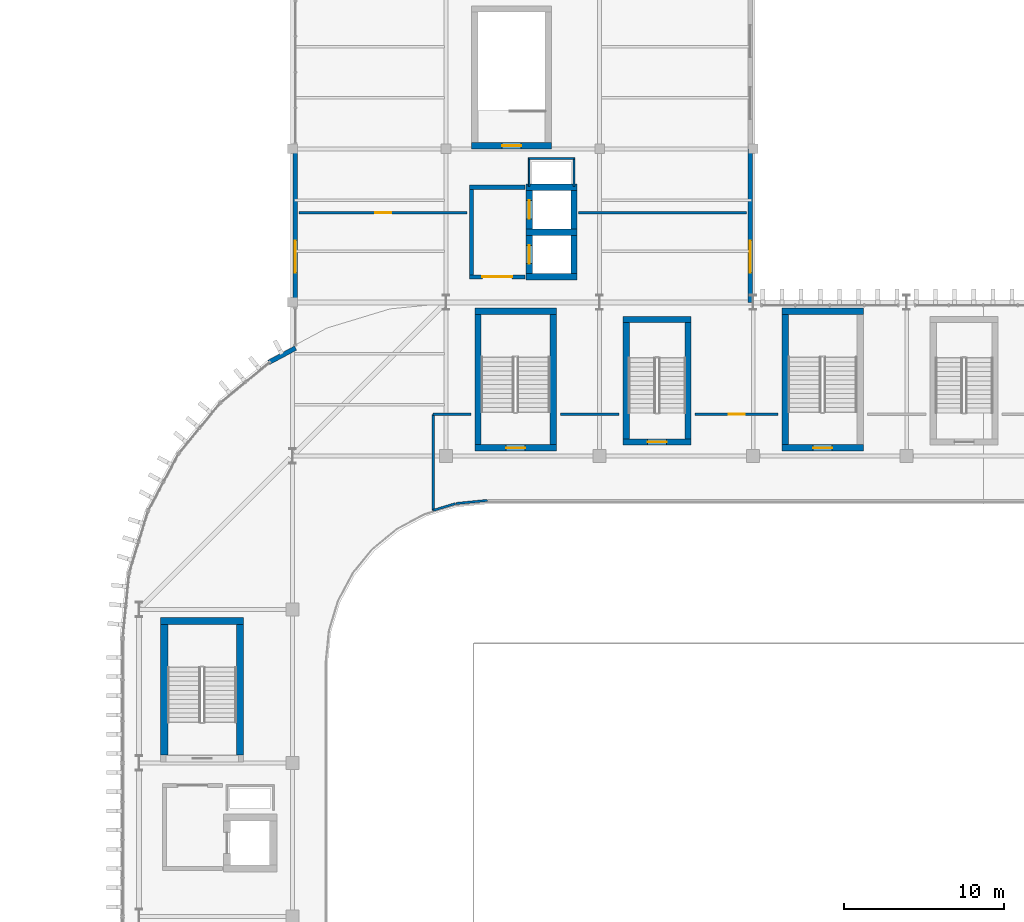
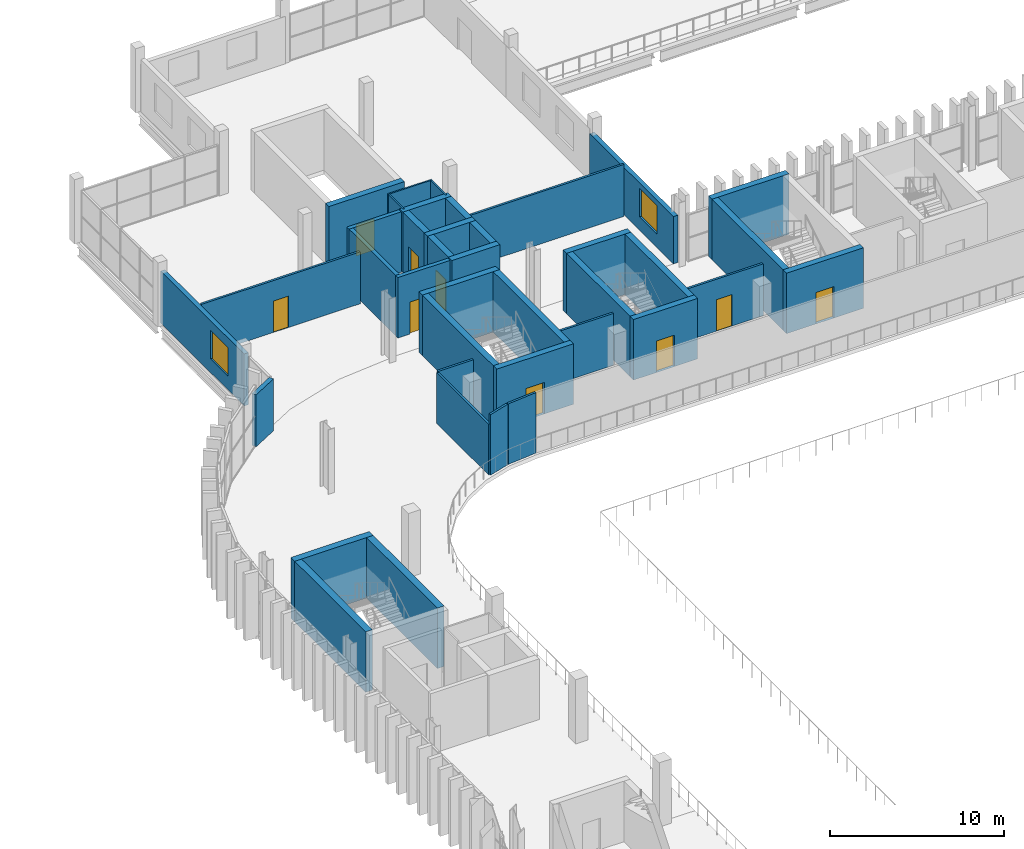
# One storey, part 48 of 75: 39 walls, 9 doors, 2 windows, 11 openings.
"""IFC4 building model written with IfcOpenShell, lengths in metres."""

from ifc_helpers import new_model, si_unit, direction, frame, frame_2d, origin, place, context, subcontext, project, spatial, rectangle, extrude, material, layer, layer_set, type_object, element, fill, save


model = new_model("IFC4")

# Units and contexts
model_context = context("Model", 3, precision=1e-05, world=origin(), true_north=direction((0.0, 1.0)))
body_context = subcontext(model_context, "Body", "Model", "MODEL_VIEW")
ifc_project = project(units=[si_unit("LENGTHUNIT", "METRE"), si_unit("AREAUNIT", "SQUARE_METRE"), si_unit("VOLUMEUNIT", "CUBIC_METRE"), si_unit("PLANEANGLEUNIT", "RADIAN"), si_unit("MASSUNIT", "GRAM", prefix="KILO")], contexts=[model_context])

# Site, building, storey
site_placement = place(None, origin())
site = spatial("IfcSite", under=ifc_project, at=site_placement, CompositionType="ELEMENT")
building_placement = place(site_placement, origin())
building = spatial("IfcBuilding", under=site, at=building_placement, Name="Caelomonte Colonnade Arena", CompositionType="ELEMENT")
storey_placement = place(building_placement, frame((0.0, 0.0, 14.10009765625)))
storey = spatial("IfcBuildingStorey", under=building, at=storey_placement, Name="L03", CompositionType="ELEMENT", Elevation=14.10009765625)

# Wall, opening, window
ifc_material_1 = material(Name="Precast concrete C40/50", Category="concrete")
ifc_layer_1 = layer(ifc_material_1, 0.2900390625)
ifc_layer_set_1 = layer_set([ifc_layer_1], Name="Precast concrete C40/50")
wall_type_1 = type_object("IfcWallType", Name="ENV-WL-EXT29", PredefinedType="SOLIDWALL", material=ifc_layer_set_1)
wall_1_placement = place(storey_placement, frame((95.820068359375, 115.199951171875, 0.0), z_axis=(0.0, 0.0, 1.0), x_axis=(0.0, 1.0, 0.0)))
wall_1 = element("IfcWall", 1, at=wall_1_placement, inside=storey, type_object=wall_type_1, Name="L03 exterior wall EW-L03-0295", PredefinedType="SOLIDWALL", context=body_context, shape_type="SweptSolid", body=[
    extrude(rectangle(XDim=9.60009765625, YDim=0.2900390625, at=frame_2d((4.800048828125, 0.0))), origin(), (0.0, 0.0, 1.0), 3.312744140625),
])
opening_1_placement = place(wall_1_placement, frame((3.86669921875, 0.0, 0.949951171875), z_axis=(0.0, 0.0, 1.0), x_axis=(-1.0, 0.0, 0.0)))
opening_1 = element("IfcOpeningElement", 2, at=opening_1_placement, cuts=wall_1, Name="Opening WN-06", PredefinedType="OPENING", context=body_context, shape_type="SweptSolid", body=[
    extrude(rectangle(XDim=2.0, YDim=2.0, at=frame_2d((1.0, 1.0))), frame((0.0, 0.155029296875, 0.0), z_axis=(0.0, -1.0, 0.0), x_axis=(1.0, 0.0, 0.0)), (0.0, 0.0, 1.0), 0.31005859375),
])
ifc_material_2 = material(Name="Solar-control bronze low-E double glazing", Category="glass")
window_type = type_object("IfcWindowType", Name="ENV-WN-V4C", PartitioningType="DOUBLE_PANEL_VERTICAL", PredefinedType="WINDOW", material=ifc_material_2)
window_1_placement = place(opening_1_placement, origin())
window_1 = element("IfcWindow", 3, at=window_1_placement, inside=storey, type_object=window_type, Name="L03 facade window 236", OverallHeight=2.0, OverallWidth=2.0, PartitioningType="SINGLE_PANEL", PredefinedType="WINDOW", context=body_context, shape_type="SweptSolid", body=[
    extrude(rectangle(XDim=2.0, YDim=2.0, at=frame_2d((1.0, 1.0))), frame((0.0, 0.030029296875, 0.0), z_axis=(0.0, -1.0, 0.0), x_axis=(1.0, 0.0, 0.0)), (0.0, 0.0, 1.0), 0.06005859375),
])
fill(opening_1, window_1)

wall_2_placement = place(storey_placement, frame((67.3798828125, 124.800048828125, 0.0), z_axis=(0.0, 0.0, 1.0), x_axis=(0.0, -1.0, 0.0)))
wall_2 = element("IfcWall", 4, at=wall_2_placement, inside=storey, type_object=wall_type_1, Name="L03 exterior wall EW-L03-0300", PredefinedType="SOLIDWALL", context=body_context, shape_type="SweptSolid", body=[
    extrude(rectangle(XDim=9.60009765625, YDim=0.2900390625, at=frame_2d((4.800048828125, 0.0))), origin(), (0.0, 0.0, 1.0), 3.637939453125),
])
opening_2_placement = place(wall_2_placement, frame((7.7333984375, 0.0, 0.949951171875), z_axis=(0.0, 0.0, 1.0), x_axis=(-1.0, 0.0, 0.0)))
opening_2 = element("IfcOpeningElement", 5, at=opening_2_placement, cuts=wall_2, Name="Opening WN-06", PredefinedType="OPENING", context=body_context, shape_type="SweptSolid", body=[
    extrude(rectangle(XDim=2.0, YDim=2.0, at=frame_2d((1.0, 1.0))), frame((0.0, 0.155029296875, 0.0), z_axis=(0.0, -1.0, 0.0), x_axis=(1.0, 0.0, 0.0)), (0.0, 0.0, 1.0), 0.31005859375),
])
window_2_placement = place(opening_2_placement, origin())
window_2 = element("IfcWindow", 6, at=window_2_placement, inside=storey, type_object=window_type, Name="L03 facade window 243", OverallHeight=2.0, OverallWidth=2.0, PartitioningType="SINGLE_PANEL", PredefinedType="WINDOW", context=body_context, shape_type="SweptSolid", body=[
    extrude(rectangle(XDim=2.0, YDim=2.0, at=frame_2d((1.0, 1.0))), frame((0.0, 0.030029296875, 0.0), z_axis=(0.0, -1.0, 0.0), x_axis=(1.0, 0.0, 0.0)), (0.0, 0.0, 1.0), 0.06005859375),
])
fill(opening_2, window_2)

# Wall
wall_3_placement = place(storey_placement, frame((67.390625, 112.343017578125, 0.0), z_axis=(0.0, 0.0, 1.0), x_axis=(-0.881883861215, -0.47146670649, 0.0)))
element("IfcWall", 7, at=wall_3_placement, inside=storey, type_object=wall_type_1, Name="L03 exterior wall EW-L03-0301", PredefinedType="SOLIDWALL", context=body_context, shape_type="SweptSolid", body=[
    extrude(rectangle(XDim=1.903564453125, YDim=0.2900390625, at=frame_2d((0.95166015625, 0.0))), origin(), (0.0, 0.0, 1.0), 3.637939453125),
])

# Wall, opening, door
ifc_material_3 = material(Name="Concrete C40/50", Category="concrete")
ifc_layer_2 = layer(ifc_material_3, 0.260009765625)
ifc_layer_set_2 = layer_set([ifc_layer_2], Name="Concrete C40/50")
wall_type_2 = type_object("IfcWallType", Name="INT-WL-FW26", PredefinedType="SOLIDWALL", material=ifc_layer_set_2)
wall_4_placement = place(storey_placement, frame((78.27001953125, 116.800048828125, 0.0), z_axis=(0.0, 0.0, 1.0), x_axis=(1.0, 0.0, 0.0)))
wall_4 = element("IfcWall", 8, at=wall_4_placement, inside=storey, type_object=wall_type_2, Name="FW-C7-LB L03 south enclosure wall", PredefinedType="SOLIDWALL", context=body_context, shape_type="SweptSolid", body=[
    extrude(rectangle(XDim=3.4599609375, YDim=0.260009765625, at=frame_2d((1.72998046875, 0.0))), origin(), (0.0, 0.0, 1.0), 4.239990234375),
])
opening_3_placement = place(wall_4_placement, frame((2.655029296875, 0.0, 0.0), z_axis=(0.0, 0.0, 1.0), x_axis=(-1.0, 0.0, 0.0)))
opening_3 = element("IfcOpeningElement", 9, at=opening_3_placement, cuts=wall_4, Name="Opening FD-2", PredefinedType="OPENING", context=body_context, shape_type="SweptSolid", body=[
    extrude(rectangle(XDim=1.85009765625, YDim=2.25, at=frame_2d((0.925048828125, 1.125))), frame((0.0, 0.139892578125, 0.0), z_axis=(0.0, -1.0, 0.0), x_axis=(1.0, 0.0, 0.0)), (0.0, 0.0, 1.0), 0.280029296875),
])
ifc_material_4 = material(Name="Fire-rated double steel door", Category="steel")
door_type_1 = type_object("IfcDoorType", Name="INT-DR-FD90B", OperationType="DOUBLE_DOOR_SINGLE_SWING", PredefinedType="DOOR", material=ifc_material_4)
door_1_placement = place(opening_3_placement, origin())
door_1 = element("IfcDoor", 10, at=door_1_placement, inside=storey, type_object=door_type_1, Name="Core C7 L03 lobby fire door", OperationType="DOUBLE_DOOR_SINGLE_SWING", OverallHeight=2.25, OverallWidth=1.85009765625, PredefinedType="DOOR", context=body_context, shape_type="SweptSolid", body=[
    extrude(rectangle(XDim=1.85009765625, YDim=2.25, at=frame_2d((0.925048828125, 1.125))), frame((0.0, 0.02490234375, 0.0), z_axis=(0.0, -1.0, 0.0), x_axis=(1.0, 0.0, 0.0)), (0.0, 0.0, 1.0), 0.050048828125),
])
fill(opening_3, door_1)

# Walls
wall_5_placement = place(storey_placement, frame((81.72998046875, 122.39990234375, 0.0), z_axis=(0.0, 0.0, 1.0), x_axis=(-1.0, 0.0, 0.0)))
element("IfcWall", 11, at=wall_5_placement, inside=storey, type_object=wall_type_2, Name="FW-C7-LB L03 north enclosure wall", PredefinedType="SOLIDWALL", context=body_context, shape_type="SweptSolid", body=[
    extrude(rectangle(XDim=3.4599609375, YDim=0.260009765625, at=frame_2d((1.72998046875, 0.0))), origin(), (0.0, 0.0, 1.0), 4.239990234375),
])
wall_6_placement = place(storey_placement, frame((78.39990234375, 122.27001953125, 0.0), z_axis=(0.0, 0.0, 1.0), x_axis=(0.0, -1.0, 0.0)))
element("IfcWall", 12, at=wall_6_placement, inside=storey, type_object=wall_type_2, Name="FW-C7-LB L03 west enclosure wall", PredefinedType="SOLIDWALL", context=body_context, shape_type="SweptSolid", body=[
    extrude(rectangle(XDim=5.340087890625, YDim=0.260009765625, at=frame_2d((2.669921875, 0.0))), origin(), (0.0, 0.0, 1.0), 4.239990234375),
])
ifc_material_5 = material(Name="Service shaft lining partition")
ifc_layer_3 = layer(ifc_material_5, 0.10009765625)
ifc_layer_set_3 = layer_set([ifc_layer_3], Name="Service shaft lining partition")
wall_type_3 = type_object("IfcWallType", Name="INT-WL-PT10", PredefinedType="PARTITIONING", material=ifc_layer_set_3)
wall_7_placement = place(storey_placement, frame((84.85009765625, 124.199951171875, 0.0), z_axis=(0.0, 0.0, 1.0), x_axis=(-1.0, 0.0, 0.0)))
element("IfcWall", 13, at=wall_7_placement, inside=storey, type_object=wall_type_3, Name="FW-C7-RS L03 north enclosure wall", PredefinedType="PARTITIONING", context=body_context, shape_type="SweptSolid", body=[
    extrude(rectangle(XDim=2.900146484375, YDim=0.10009765625, at=frame_2d((1.4501953125, 0.0))), origin(), (0.0, 0.0, 1.0), 4.239990234375),
])
for number, where, z_axis, x_axis, name in (
    (14, (82.0, 124.14990234375, 0.0), (0.0, 0.0, 1.0), (0.0, -1.0, 0.0), "FW-C7-RS L03 west enclosure wall"),
    (15, (84.800048828125, 122.449951171875, 0.0), (0.0, 0.0, 1.0), (0.0, 1.0, 0.0), "FW-C7-RS L03 east enclosure wall"),
):
    element("IfcWall", number, at=place(storey_placement, frame(where, z_axis=z_axis, x_axis=x_axis)), inside=storey, type_object=wall_type_3, Name=name, PredefinedType="PARTITIONING", context=body_context, shape_type="SweptSolid", body=[
        extrude(rectangle(XDim=1.699951171875, YDim=0.10009765625, at=frame_2d((0.85009765625, 0.0))), origin(), (0.0, 0.0, 1.0), 4.239990234375),
    ])
ifc_material_6 = material(Name="Suite demising stud partition")
ifc_layer_4 = layer(ifc_material_6, 0.139892578125)
ifc_layer_set_4 = layer_set([ifc_layer_4], Name="Suite demising stud partition")
wall_type_4 = type_object("IfcWallType", Name="INT-WL-PT14", PredefinedType="PARTITIONING", material=ifc_layer_set_4)
wall_8_placement = place(storey_placement, frame((77.38525390625, 102.618408203125, 0.0), z_axis=(0.0, 0.0, 1.0), x_axis=(-0.956921766266, -0.290345885534, 0.0)))
element("IfcWall", 16, at=wall_8_placement, inside=storey, type_object=wall_type_4, Name="L03 Hospitality Suite North Ring partition 214", PredefinedType="PARTITIONING", context=body_context, shape_type="SweptSolid", body=[
    extrude(rectangle(XDim=1.441162109375, YDim=0.139892578125, at=frame_2d((0.720703125, 0.0))), origin(), (0.0, 0.0, 1.0), 4.239990234375),
])
wall_9_placement = place(storey_placement, frame((76.0, 102.199951171875, 0.0), z_axis=(0.0, 0.0, 1.0), x_axis=(0.0, 1.0, 0.0)))
element("IfcWall", 17, at=wall_9_placement, inside=storey, type_object=wall_type_4, Name="L03 Hospitality Suite North Ring partition 215", PredefinedType="PARTITIONING", context=body_context, shape_type="SweptSolid", body=[
    extrude(rectangle(XDim=6.0, YDim=0.139892578125, at=frame_2d((3.0, 0.0))), origin(), (0.0, 0.0, 1.0), 3.556396484375),
])
wall_10_placement = place(storey_placement, frame((76.0, 108.199951171875, 0.0), z_axis=(0.0, 0.0, 1.0), x_axis=(1.0, 0.0, 0.0)))
element("IfcWall", 18, at=wall_10_placement, inside=storey, type_object=wall_type_4, Name="L03 Hospitality Suite North Ring partition 216", PredefinedType="PARTITIONING", context=body_context, shape_type="SweptSolid", body=[
    extrude(rectangle(XDim=2.35009765625, YDim=0.139892578125, at=frame_2d((1.175048828125, 0.0))), origin(), (0.0, 0.0, 1.0), 3.637939453125),
])
wall_11_placement = place(storey_placement, frame((83.949951171875, 108.199951171875, 0.0), z_axis=(0.0, 0.0, 1.0), x_axis=(1.0, 0.0, 0.0)))
element("IfcWall", 19, at=wall_11_placement, inside=storey, type_object=wall_type_4, Name="L03 Hospitality Suite North Ring partition 217", PredefinedType="PARTITIONING", context=body_context, shape_type="SweptSolid", body=[
    extrude(rectangle(XDim=3.670166015625, YDim=0.139892578125, at=frame_2d((1.8349609375, 0.0))), origin(), (0.0, 0.0, 1.0), 3.637939453125),
])

# Wall, opening, door
wall_12_placement = place(storey_placement, frame((92.3798828125, 108.199951171875, 0.0), z_axis=(0.0, 0.0, 1.0), x_axis=(1.0, 0.0, 0.0)))
wall_12 = element("IfcWall", 20, at=wall_12_placement, inside=storey, type_object=wall_type_4, Name="L03 Hospitality Suite North Ring partition 218", PredefinedType="PARTITIONING", context=body_context, shape_type="SweptSolid", body=[
    extrude(rectangle(XDim=5.170166015625, YDim=0.139892578125, at=frame_2d((2.5849609375, 0.0))), origin(), (0.0, 0.0, 1.0), 3.637939453125),
])
opening_4_placement = place(wall_12_placement, frame((2.0849609375, 0.0, 0.0), z_axis=(0.0, 0.0, 1.0), x_axis=(1.0, 0.0, 0.0)))
opening_4 = element("IfcOpeningElement", 21, at=opening_4_placement, cuts=wall_12, Name="Opening D-L03-060", PredefinedType="OPENING", context=body_context, shape_type="SweptSolid", body=[
    extrude(rectangle(XDim=1.0, YDim=2.199951171875, at=frame_2d((0.5, 1.10009765625))), frame((0.0, 0.079833984375, 0.0), z_axis=(0.0, -1.0, 0.0), x_axis=(1.0, 0.0, 0.0)), (0.0, 0.0, 1.0), 0.159912109375),
])
ifc_material_7 = material(Name="Hardwood veneer acoustic suite door", Category="wood")
door_type_2 = type_object("IfcDoorType", Name="INT-DR-SU1", OperationType="NOTDEFINED", PredefinedType="DOOR", material=ifc_material_7)
door_2_placement = place(opening_4_placement, origin())
door_2 = element("IfcDoor", 22, at=door_2_placement, inside=storey, type_object=door_type_2, Name="L03 Hospitality Suite North Ring door D-L03-060", OperationType="SINGLE_SWING_LEFT", OverallHeight=2.199951171875, OverallWidth=1.0, PredefinedType="DOOR", context=body_context, shape_type="SweptSolid", body=[
    extrude(rectangle(XDim=1.0, YDim=2.199951171875, at=frame_2d((0.5, 1.10009765625))), frame((0.0, 0.02490234375, 0.0), z_axis=(0.0, -1.0, 0.0), x_axis=(1.0, 0.0, 0.0)), (0.0, 0.0, 1.0), 0.050048828125),
])
fill(opening_4, door_2)

# Walls
wall_13_placement = place(storey_placement, frame((79.37841796875, 102.81884765625, 0.0), z_axis=(0.0, 0.0, 1.0), x_axis=(-0.995185270943, -0.098011614095, 0.0)))
element("IfcWall", 23, at=wall_13_placement, inside=storey, type_object=wall_type_4, Name="L03 Hospitality Suite North Ring partition 228", PredefinedType="PARTITIONING", context=body_context, shape_type="SweptSolid", body=[
    extrude(rectangle(XDim=1.96044921875, YDim=0.139892578125, at=frame_2d((0.980224609375, 0.0))), origin(), (0.0, 0.0, 1.0), 4.239990234375),
])
wall_14_placement = place(storey_placement, frame((95.60009765625, 120.800048828125, 0.0), z_axis=(0.0, 0.0, 1.0), x_axis=(-1.0, 0.0, 0.0)))
element("IfcWall", 24, at=wall_14_placement, inside=storey, type_object=wall_type_4, Name="L03 Presidential Party Suite partition 229", PredefinedType="PARTITIONING", context=body_context, shape_type="SweptSolid", body=[
    extrude(rectangle(XDim=10.52001953125, YDim=0.139892578125, at=frame_2d((5.260009765625, 0.0))), origin(), (0.0, 0.0, 1.0), 3.637939453125),
])

# Wall, opening, door
wall_15_placement = place(storey_placement, frame((78.1201171875, 120.800048828125, 0.0), z_axis=(0.0, 0.0, 1.0), x_axis=(-1.0, 0.0, 0.0)))
wall_15 = element("IfcWall", 25, at=wall_15_placement, inside=storey, type_object=wall_type_4, Name="L03 Presidential Party Suite partition 230", PredefinedType="PARTITIONING", context=body_context, shape_type="SweptSolid", body=[
    extrude(rectangle(XDim=10.52001953125, YDim=0.139892578125, at=frame_2d((5.260009765625, 0.0))), origin(), (0.0, 0.0, 1.0), 3.637939453125),
])
opening_5_placement = place(wall_15_placement, frame((4.760009765625, 0.0, 0.0), z_axis=(0.0, 0.0, 1.0), x_axis=(1.0, 0.0, 0.0)))
opening_5 = element("IfcOpeningElement", 26, at=opening_5_placement, cuts=wall_15, Name="Opening D-L03-061", PredefinedType="OPENING", context=body_context, shape_type="SweptSolid", body=[
    extrude(rectangle(XDim=1.0, YDim=2.199951171875, at=frame_2d((0.5, 1.10009765625))), frame((0.0, 0.079833984375, 0.0), z_axis=(0.0, -1.0, 0.0), x_axis=(1.0, 0.0, 0.0)), (0.0, 0.0, 1.0), 0.159912109375),
])
door_3_placement = place(opening_5_placement, origin())
door_3 = element("IfcDoor", 27, at=door_3_placement, inside=storey, type_object=door_type_2, Name="L03 Presidential Party Suite door D-L03-061", OperationType="SINGLE_SWING_RIGHT", OverallHeight=2.199951171875, OverallWidth=1.0, PredefinedType="DOOR", context=body_context, shape_type="SweptSolid", body=[
    extrude(rectangle(XDim=1.0, YDim=2.199951171875, at=frame_2d((0.5, 1.10009765625))), frame((0.0, 0.02490234375, 0.0), z_axis=(0.0, -1.0, 0.0), x_axis=(1.0, 0.0, 0.0)), (0.0, 0.0, 1.0), 0.050048828125),
])
fill(opening_5, door_3)

ifc_material_8 = material(Name="Concrete C50/60", Category="concrete")
ifc_layer_5 = layer(ifc_material_8, 0.39990234375)
ifc_layer_set_5 = layer_set([ifc_layer_5], Name="Concrete C50/60")
wall_type_5 = type_object("IfcWallType", Name="INT-WL-SH40", PredefinedType="SHEAR", material=ifc_layer_set_5)
wall_16_placement = place(storey_placement, frame((78.39990234375, 125.0, 0.0), z_axis=(0.0, 0.0, 1.0), x_axis=(1.0, 0.0, 0.0)))
wall_16 = element("IfcWall", 28, at=wall_16_placement, inside=storey, type_object=wall_type_5, Name="CW-C7-ST L03 south enclosure wall", PredefinedType="SHEAR", context=body_context, shape_type="SweptSolid", body=[
    extrude(rectangle(XDim=5.0, YDim=0.39990234375, at=frame_2d((2.5, 0.0))), origin(), (0.0, 0.0, 1.0), 4.239990234375),
])
opening_6_placement = place(wall_16_placement, frame((3.099853515625, 0.0, 0.0), z_axis=(0.0, 0.0, 1.0), x_axis=(-1.0, 0.0, 0.0)))
opening_6 = element("IfcOpeningElement", 29, at=opening_6_placement, cuts=wall_16, Name="Opening FD-1", PredefinedType="OPENING", context=body_context, shape_type="SweptSolid", body=[
    extrude(rectangle(XDim=1.199951171875, YDim=2.199951171875, at=frame_2d((0.60009765625, 1.10009765625))), frame((0.0, 0.2099609375, 0.0), z_axis=(0.0, -1.0, 0.0), x_axis=(1.0, 0.0, 0.0)), (0.0, 0.0, 1.0), 0.419921875),
])
ifc_material_9 = material(Name="Fire-rated steel door", Category="steel")
door_type_3 = type_object("IfcDoorType", Name="INT-DR-FD90A", OperationType="NOTDEFINED", PredefinedType="DOOR", material=ifc_material_9)
door_4_placement = place(opening_6_placement, origin())
door_4 = element("IfcDoor", 30, at=door_4_placement, inside=storey, type_object=door_type_3, Name="Core C7 L03 exit stair fire door", OperationType="SINGLE_SWING_LEFT", OverallHeight=2.199951171875, OverallWidth=1.199951171875, PredefinedType="DOOR", context=body_context, shape_type="SweptSolid", body=[
    extrude(rectangle(XDim=1.199951171875, YDim=2.199951171875, at=frame_2d((0.60009765625, 1.10009765625))), frame((0.0, 0.02490234375, 0.0), z_axis=(0.0, -1.0, 0.0), x_axis=(1.0, 0.0, 0.0)), (0.0, 0.0, 1.0), 0.050048828125),
])
fill(opening_6, door_4)

# Walls
for number, where, z_axis, x_axis, name in (
    (31, (81.800048828125, 116.800048828125, 0.0), (0.0, 0.0, 1.0), (1.0, 0.0, 0.0), "CW-C7-LF L03 south enclosure wall"),
    (32, (85.0, 119.60009765625, 0.0), (0.0, 0.0, 1.0), (-1.0, 0.0, 0.0), "CW-C7-LF L03 north enclosure wall"),
):
    element("IfcWall", number, at=place(storey_placement, frame(where, z_axis=z_axis, x_axis=x_axis)), inside=storey, type_object=wall_type_5, Name=name, PredefinedType="SHEAR", context=body_context, shape_type="SweptSolid", body=[
        extrude(rectangle(XDim=3.199951171875, YDim=0.39990234375, at=frame_2d((1.60009765625, 0.0))), origin(), (0.0, 0.0, 1.0), 4.239990234375),
    ])

# Wall, opening, door
wall_17_placement = place(storey_placement, frame((82.0, 119.39990234375, 0.0), z_axis=(0.0, 0.0, 1.0), x_axis=(0.0, -1.0, 0.0)))
wall_17 = element("IfcWall", 33, at=wall_17_placement, inside=storey, type_object=wall_type_5, Name="CW-C7-LF L03 west enclosure wall", PredefinedType="SHEAR", context=body_context, shape_type="SweptSolid", body=[
    extrude(rectangle(XDim=2.39990234375, YDim=0.39990234375, at=frame_2d((1.199951171875, 0.0))), origin(), (0.0, 0.0, 1.0), 4.239990234375),
])
opening_7_placement = place(wall_17_placement, frame((0.625, 0.0, 0.0), z_axis=(0.0, 0.0, 1.0), x_axis=(1.0, 0.0, 0.0)))
opening_7 = element("IfcOpeningElement", 34, at=opening_7_placement, cuts=wall_17, Name="Opening LD-LF-05-L03", PredefinedType="OPENING", context=body_context, shape_type="SweptSolid", body=[
    extrude(rectangle(XDim=1.14990234375, YDim=2.199951171875, at=frame_2d((0.574951171875, 1.10009765625))), frame((0.0, 0.2099609375, 0.0), z_axis=(0.0, -1.0, 0.0), x_axis=(1.0, 0.0, 0.0)), (0.0, 0.0, 1.0), 0.419921875),
])
ifc_material_10 = material(Name="Stainless steel lift landing door", Category="steel")
door_type_4 = type_object("IfcDoorType", Name="INT-DR-LD1", OperationType="SLIDING_TO_LEFT", PredefinedType="DOOR", material=ifc_material_10)
door_5_placement = place(opening_7_placement, origin())
door_5 = element("IfcDoor", 35, at=door_5_placement, inside=storey, type_object=door_type_4, Name="Lift LF-05 L03 sliding landing door", OperationType="SLIDING_TO_LEFT", OverallHeight=2.199951171875, OverallWidth=1.14990234375, PredefinedType="DOOR", context=body_context, shape_type="SweptSolid", body=[
    extrude(rectangle(XDim=1.14990234375, YDim=2.199951171875, at=frame_2d((0.574951171875, 1.10009765625))), frame((0.0, 0.02490234375, 0.0), z_axis=(0.0, -1.0, 0.0), x_axis=(1.0, 0.0, 0.0)), (0.0, 0.0, 1.0), 0.050048828125),
])
fill(opening_7, door_5)

# Walls
wall_18_placement = place(storey_placement, frame((84.800048828125, 117.0, 0.0), z_axis=(0.0, 0.0, 1.0), x_axis=(0.0, 1.0, 0.0)))
element("IfcWall", 36, at=wall_18_placement, inside=storey, type_object=wall_type_5, Name="CW-C7-LF L03 east enclosure wall", PredefinedType="SHEAR", context=body_context, shape_type="SweptSolid", body=[
    extrude(rectangle(XDim=2.39990234375, YDim=0.39990234375, at=frame_2d((1.199951171875, 0.0))), origin(), (0.0, 0.0, 1.0), 4.239990234375),
])
wall_19_placement = place(storey_placement, frame((85.0, 122.39990234375, 0.0), z_axis=(0.0, 0.0, 1.0), x_axis=(-1.0, 0.0, 0.0)))
element("IfcWall", 37, at=wall_19_placement, inside=storey, type_object=wall_type_5, Name="CW-C7-LF2 L03 north enclosure wall", PredefinedType="SHEAR", context=body_context, shape_type="SweptSolid", body=[
    extrude(rectangle(XDim=3.199951171875, YDim=0.39990234375, at=frame_2d((1.60009765625, 0.0))), origin(), (0.0, 0.0, 1.0), 4.239990234375),
])

# Wall, opening, door
wall_20_placement = place(storey_placement, frame((82.0, 122.199951171875, 0.0), z_axis=(0.0, 0.0, 1.0), x_axis=(0.0, -1.0, 0.0)))
wall_20 = element("IfcWall", 38, at=wall_20_placement, inside=storey, type_object=wall_type_5, Name="CW-C7-LF2 L03 west enclosure wall", PredefinedType="SHEAR", context=body_context, shape_type="SweptSolid", body=[
    extrude(rectangle(XDim=2.39990234375, YDim=0.39990234375, at=frame_2d((1.199951171875, 0.0))), origin(), (0.0, 0.0, 1.0), 4.239990234375),
])
opening_8_placement = place(wall_20_placement, frame((0.625, 0.0, 0.0), z_axis=(0.0, 0.0, 1.0), x_axis=(1.0, 0.0, 0.0)))
opening_8 = element("IfcOpeningElement", 39, at=opening_8_placement, cuts=wall_20, Name="Opening LD-LF-06-L03", PredefinedType="OPENING", context=body_context, shape_type="SweptSolid", body=[
    extrude(rectangle(XDim=1.14990234375, YDim=2.199951171875, at=frame_2d((0.574951171875, 1.10009765625))), frame((0.0, 0.2099609375, 0.0), z_axis=(0.0, -1.0, 0.0), x_axis=(1.0, 0.0, 0.0)), (0.0, 0.0, 1.0), 0.419921875),
])
door_6_placement = place(opening_8_placement, origin())
door_6 = element("IfcDoor", 40, at=door_6_placement, inside=storey, type_object=door_type_4, Name="Lift LF-06 L03 sliding landing door", OperationType="SLIDING_TO_LEFT", OverallHeight=2.199951171875, OverallWidth=1.14990234375, PredefinedType="DOOR", context=body_context, shape_type="SweptSolid", body=[
    extrude(rectangle(XDim=1.14990234375, YDim=2.199951171875, at=frame_2d((0.574951171875, 1.10009765625))), frame((0.0, 0.02490234375, 0.0), z_axis=(0.0, -1.0, 0.0), x_axis=(1.0, 0.0, 0.0)), (0.0, 0.0, 1.0), 0.050048828125),
])
fill(opening_8, door_6)

# Wall
wall_21_placement = place(storey_placement, frame((84.800048828125, 119.800048828125, 0.0), z_axis=(0.0, 0.0, 1.0), x_axis=(0.0, 1.0, 0.0)))
element("IfcWall", 41, at=wall_21_placement, inside=storey, type_object=wall_type_5, Name="CW-C7-LF2 L03 east enclosure wall", PredefinedType="SHEAR", context=body_context, shape_type="SweptSolid", body=[
    extrude(rectangle(XDim=2.39990234375, YDim=0.39990234375, at=frame_2d((1.199951171875, 0.0))), origin(), (0.0, 0.0, 1.0), 4.239990234375),
])

# Wall, opening, door
wall_22_placement = place(storey_placement, frame((78.60009765625, 106.10009765625, 0.0), z_axis=(0.0, 0.0, 1.0), x_axis=(1.0, 0.0, 0.0)))
wall_22 = element("IfcWall", 42, at=wall_22_placement, inside=storey, type_object=wall_type_5, Name="CW-ST-14 L03 south enclosure wall", PredefinedType="SHEAR", context=body_context, shape_type="SweptSolid", body=[
    extrude(rectangle(XDim=5.099853515625, YDim=0.39990234375, at=frame_2d((2.5498046875, 0.0))), origin(), (0.0, 0.0, 1.0), 4.239990234375),
])
opening_9_placement = place(wall_22_placement, frame((3.14990234375, 0.0, 0.0), z_axis=(0.0, 0.0, 1.0), x_axis=(-1.0, 0.0, 0.0)))
opening_9 = element("IfcOpeningElement", 43, at=opening_9_placement, cuts=wall_22, Name="Opening FD-1", PredefinedType="OPENING", context=body_context, shape_type="SweptSolid", body=[
    extrude(rectangle(XDim=1.199951171875, YDim=2.199951171875, at=frame_2d((0.60009765625, 1.10009765625))), frame((0.0, 0.2099609375, 0.0), z_axis=(0.0, -1.0, 0.0), x_axis=(1.0, 0.0, 0.0)), (0.0, 0.0, 1.0), 0.419921875),
])
door_7_placement = place(opening_9_placement, origin())
door_7 = element("IfcDoor", 44, at=door_7_placement, inside=storey, type_object=door_type_3, Name="Protected exit stair ST-14 L03 fire door", OperationType="SINGLE_SWING_LEFT", OverallHeight=2.199951171875, OverallWidth=1.199951171875, PredefinedType="DOOR", context=body_context, shape_type="SweptSolid", body=[
    extrude(rectangle(XDim=1.199951171875, YDim=2.199951171875, at=frame_2d((0.60009765625, 1.10009765625))), frame((0.0, 0.02490234375, 0.0), z_axis=(0.0, -1.0, 0.0), x_axis=(1.0, 0.0, 0.0)), (0.0, 0.0, 1.0), 0.050048828125),
])
fill(opening_9, door_7)

# Walls
wall_23_placement = place(storey_placement, frame((83.699951171875, 114.64990234375, 0.0), z_axis=(0.0, 0.0, 1.0), x_axis=(-1.0, 0.0, 0.0)))
element("IfcWall", 45, at=wall_23_placement, inside=storey, type_object=wall_type_5, Name="CW-ST-14 L03 north enclosure wall", PredefinedType="SHEAR", context=body_context, shape_type="SweptSolid", body=[
    extrude(rectangle(XDim=5.099853515625, YDim=0.39990234375, at=frame_2d((2.5498046875, 0.0))), origin(), (0.0, 0.0, 1.0), 4.239990234375),
])
for number, where, z_axis, x_axis, name in (
    (46, (78.800048828125, 114.449951171875, 0.0), (0.0, 0.0, 1.0), (0.0, -1.0, 0.0), "CW-ST-14 L03 west enclosure wall"),
    (47, (83.5, 106.300048828125, 0.0), (0.0, 0.0, 1.0), (0.0, 1.0, 0.0), "CW-ST-14 L03 east enclosure wall"),
):
    element("IfcWall", number, at=place(storey_placement, frame(where, z_axis=z_axis, x_axis=x_axis)), inside=storey, type_object=wall_type_5, Name=name, PredefinedType="SHEAR", context=body_context, shape_type="SweptSolid", body=[
        extrude(rectangle(XDim=8.14990234375, YDim=0.39990234375, at=frame_2d((4.074951171875, 0.0))), origin(), (0.0, 0.0, 1.0), 4.239990234375),
    ])

# Wall, opening, door
wall_24_placement = place(storey_placement, frame((97.800048828125, 106.10009765625, 0.0), z_axis=(0.0, 0.0, 1.0), x_axis=(1.0, 0.0, 0.0)))
wall_24 = element("IfcWall", 48, at=wall_24_placement, inside=storey, type_object=wall_type_5, Name="CW-ST-15 L03 south enclosure wall", PredefinedType="SHEAR", context=body_context, shape_type="SweptSolid", body=[
    extrude(rectangle(XDim=5.099853515625, YDim=0.39990234375, at=frame_2d((2.5498046875, 0.0))), origin(), (0.0, 0.0, 1.0), 4.239990234375),
])
opening_10_placement = place(wall_24_placement, frame((3.14990234375, 0.0, 0.0), z_axis=(0.0, 0.0, 1.0), x_axis=(-1.0, 0.0, 0.0)))
opening_10 = element("IfcOpeningElement", 49, at=opening_10_placement, cuts=wall_24, Name="Opening FD-1", PredefinedType="OPENING", context=body_context, shape_type="SweptSolid", body=[
    extrude(rectangle(XDim=1.199951171875, YDim=2.199951171875, at=frame_2d((0.60009765625, 1.10009765625))), frame((0.0, 0.2099609375, 0.0), z_axis=(0.0, -1.0, 0.0), x_axis=(1.0, 0.0, 0.0)), (0.0, 0.0, 1.0), 0.419921875),
])
door_8_placement = place(opening_10_placement, origin())
door_8 = element("IfcDoor", 50, at=door_8_placement, inside=storey, type_object=door_type_3, Name="Protected exit stair ST-15 L03 fire door", OperationType="SINGLE_SWING_RIGHT", OverallHeight=2.199951171875, OverallWidth=1.199951171875, PredefinedType="DOOR", context=body_context, shape_type="SweptSolid", body=[
    extrude(rectangle(XDim=1.199951171875, YDim=2.199951171875, at=frame_2d((0.60009765625, 1.10009765625))), frame((0.0, 0.02490234375, 0.0), z_axis=(0.0, -1.0, 0.0), x_axis=(1.0, 0.0, 0.0)), (0.0, 0.0, 1.0), 0.050048828125),
])
fill(opening_10, door_8)

# Walls
wall_25_placement = place(storey_placement, frame((102.89990234375, 114.64990234375, 0.0), z_axis=(0.0, 0.0, 1.0), x_axis=(-1.0, 0.0, 0.0)))
element("IfcWall", 51, at=wall_25_placement, inside=storey, type_object=wall_type_5, Name="CW-ST-15 L03 north enclosure wall", PredefinedType="SHEAR", context=body_context, shape_type="SweptSolid", body=[
    extrude(rectangle(XDim=5.099853515625, YDim=0.39990234375, at=frame_2d((2.5498046875, 0.0))), origin(), (0.0, 0.0, 1.0), 4.239990234375),
])
wall_26_placement = place(storey_placement, frame((98.0, 114.449951171875, 0.0), z_axis=(0.0, 0.0, 1.0), x_axis=(0.0, -1.0, 0.0)))
element("IfcWall", 52, at=wall_26_placement, inside=storey, type_object=wall_type_5, Name="CW-ST-15 L03 west enclosure wall", PredefinedType="SHEAR", context=body_context, shape_type="SweptSolid", body=[
    extrude(rectangle(XDim=8.14990234375, YDim=0.39990234375, at=frame_2d((4.074951171875, 0.0))), origin(), (0.0, 0.0, 1.0), 4.239990234375),
])

# Wall, opening, door
wall_27_placement = place(storey_placement, frame((87.8701171875, 106.469970703125, 0.0), z_axis=(0.0, 0.0, 1.0), x_axis=(1.0, 0.0, 0.0)))
wall_27 = element("IfcWall", 53, at=wall_27_placement, inside=storey, type_object=wall_type_5, Name="CW-ST-V13 L03 south enclosure wall", PredefinedType="SHEAR", context=body_context, shape_type="SweptSolid", body=[
    extrude(rectangle(XDim=4.259765625, YDim=0.39990234375, at=frame_2d((2.1298828125, 0.0))), origin(), (0.0, 0.0, 1.0), 4.239990234375),
])
opening_11_placement = place(wall_27_placement, frame((2.72998046875, 0.0, 0.0), z_axis=(0.0, 0.0, 1.0), x_axis=(-1.0, 0.0, 0.0)))
opening_11 = element("IfcOpeningElement", 54, at=opening_11_placement, cuts=wall_27, Name="Opening FD-1", PredefinedType="OPENING", context=body_context, shape_type="SweptSolid", body=[
    extrude(rectangle(XDim=1.199951171875, YDim=2.199951171875, at=frame_2d((0.60009765625, 1.10009765625))), frame((0.0, 0.2099609375, 0.0), z_axis=(0.0, -1.0, 0.0), x_axis=(1.0, 0.0, 0.0)), (0.0, 0.0, 1.0), 0.419921875),
])
door_9_placement = place(opening_11_placement, origin())
door_9 = element("IfcDoor", 55, at=door_9_placement, inside=storey, type_object=door_type_3, Name="Vomitory VOM-13 stair ST-V13 L03 portal door", OperationType="SINGLE_SWING_RIGHT", OverallHeight=2.199951171875, OverallWidth=1.199951171875, PredefinedType="DOOR", context=body_context, shape_type="SweptSolid", body=[
    extrude(rectangle(XDim=1.199951171875, YDim=2.199951171875, at=frame_2d((0.60009765625, 1.10009765625))), frame((0.0, 0.02490234375, 0.0), z_axis=(0.0, -1.0, 0.0), x_axis=(1.0, 0.0, 0.0)), (0.0, 0.0, 1.0), 0.050048828125),
])
fill(opening_11, door_9)

# Walls
wall_28_placement = place(storey_placement, frame((92.1298828125, 114.1298828125, 0.0), z_axis=(0.0, 0.0, 1.0), x_axis=(-1.0, 0.0, 0.0)))
element("IfcWall", 56, at=wall_28_placement, inside=storey, type_object=wall_type_5, Name="CW-ST-V13 L03 north enclosure wall", PredefinedType="SHEAR", context=body_context, shape_type="SweptSolid", body=[
    extrude(rectangle(XDim=4.259765625, YDim=0.39990234375, at=frame_2d((2.1298828125, 0.0))), origin(), (0.0, 0.0, 1.0), 4.239990234375),
])
for number, where, z_axis, x_axis, name in (
    (57, (88.070068359375, 113.929931640625, 0.0), (0.0, 0.0, 1.0), (0.0, -1.0, 0.0), "CW-ST-V13 L03 west enclosure wall"),
    (58, (91.929931640625, 106.669921875, 0.0), (0.0, 0.0, 1.0), (0.0, 1.0, 0.0), "CW-ST-V13 L03 east enclosure wall"),
):
    element("IfcWall", number, at=place(storey_placement, frame(where, z_axis=z_axis, x_axis=x_axis)), inside=storey, type_object=wall_type_5, Name=name, PredefinedType="SHEAR", context=body_context, shape_type="SweptSolid", body=[
        extrude(rectangle(XDim=7.260009765625, YDim=0.39990234375, at=frame_2d((3.6298828125, 0.0))), origin(), (0.0, 0.0, 1.0), 4.239990234375),
    ])
ifc_layer_6 = layer(ifc_material_8, 0.449951171875)
ifc_layer_set_6 = layer_set([ifc_layer_6], Name="Concrete C50/60")
wall_type_6 = type_object("IfcWallType", Name="INT-WL-SH45", PredefinedType="SHEAR", material=ifc_layer_set_6)
wall_29_placement = place(storey_placement, frame((64.14990234375, 95.27490234375, 0.0), z_axis=(0.0, 0.0, 1.0), x_axis=(-1.0, 0.0, 0.0)))
element("IfcWall", 59, at=wall_29_placement, inside=storey, type_object=wall_type_6, Name="CW-C4-ST L03 north enclosure wall", PredefinedType="SHEAR", context=body_context, shape_type="SweptSolid", body=[
    extrude(rectangle(XDim=5.199951171875, YDim=0.449951171875, at=frame_2d((2.60009765625, 0.0))), origin(), (0.0, 0.0, 1.0), 4.239990234375),
])
for number, where, z_axis, x_axis, name in (
    (60, (59.175048828125, 95.050048828125, 0.0), (0.0, 0.0, 1.0), (0.0, -1.0, 0.0), "CW-C4-ST L03 west enclosure wall"),
    (61, (63.925048828125, 86.89990234375, 0.0), (0.0, 0.0, 1.0), (0.0, 1.0, 0.0), "CW-C4-ST L03 east enclosure wall"),
):
    element("IfcWall", number, at=place(storey_placement, frame(where, z_axis=z_axis, x_axis=x_axis)), inside=storey, type_object=wall_type_6, Name=name, PredefinedType="SHEAR", context=body_context, shape_type="SweptSolid", body=[
        extrude(rectangle(XDim=8.150146484375, YDim=0.449951171875, at=frame_2d((4.0751953125, 0.0))), origin(), (0.0, 0.0, 1.0), 4.239990234375),
    ])

save(model, "model.ifc")
